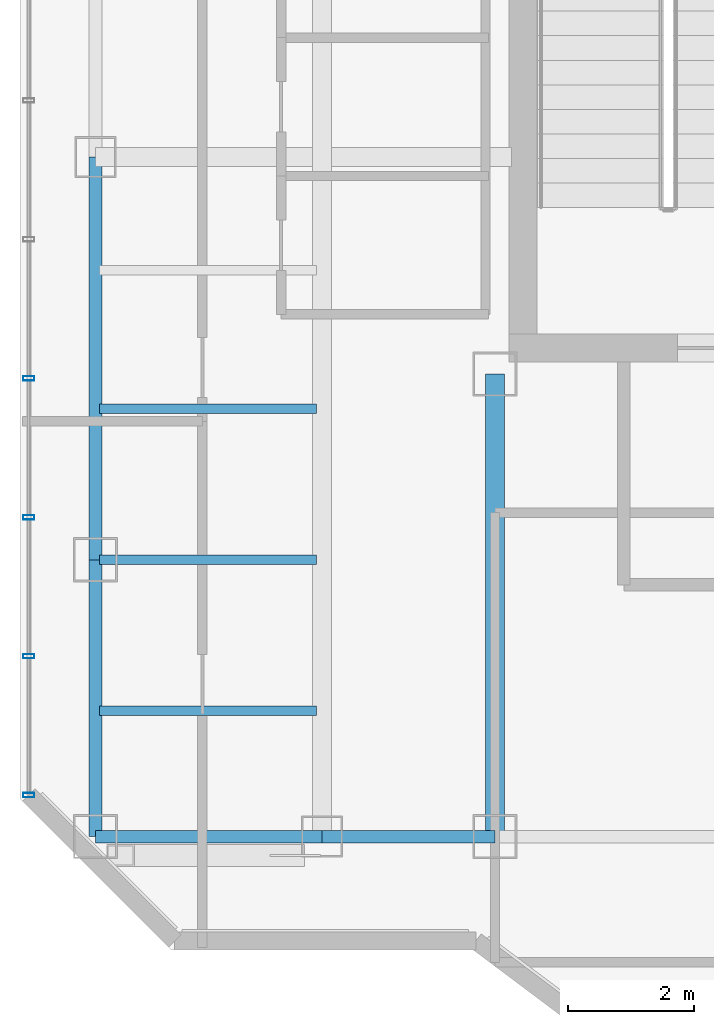
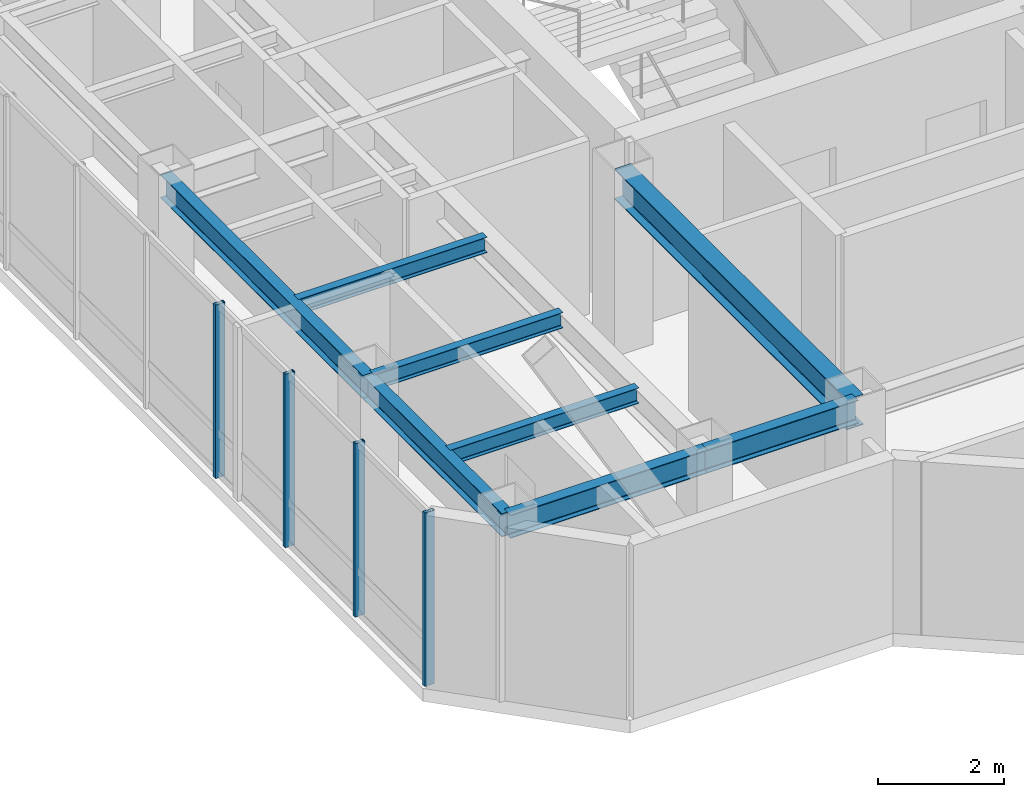
# One storey, part 4 of 25: 8 beams, 4 members, 1 element without a shape of its own.
"""IFC4 building model written with IfcOpenShell, lengths in metres."""

from ifc_helpers import new_model, si_unit, direction, frame, origin, origin_2d, place, context, subcontext, project, spatial, hollow_rectangle, i_section, extrude, material, layer, layer_set, material_profile, profile_set, type_object, element, aggregate, save


model = new_model("IFC4")

# Units and contexts
model_context = context("Model", 3, precision=1e-05, world=origin(), true_north=direction((0.0, 1.0)))
body_context = subcontext(model_context, "Body", "Model", "MODEL_VIEW")
ifc_project = project(units=[si_unit("LENGTHUNIT", "METRE"), si_unit("AREAUNIT", "SQUARE_METRE"), si_unit("VOLUMEUNIT", "CUBIC_METRE"), si_unit("PLANEANGLEUNIT", "RADIAN"), si_unit("MASSUNIT", "GRAM", prefix="KILO")], contexts=[model_context])

# Site, building, storey
site_placement = place(None, origin())
site = spatial("IfcSite", under=ifc_project, at=site_placement, CompositionType="ELEMENT")
building_placement = place(site_placement, origin())
building = spatial("IfcBuilding", under=site, at=building_placement, Name="Hatsunagi Terrace Concourse", CompositionType="ELEMENT")
storey_placement = place(building_placement, frame((0.0, 0.0, 216.75)))
storey = spatial("IfcBuildingStorey", under=building, at=storey_placement, Name="L57", CompositionType="ELEMENT", Elevation=216.75)

# Curtain wall, members
ifc_material_1 = material(Name="Anodised Aluminium Alloy 6063-T5", Category="aluminium")
ifc_layer = layer(ifc_material_1, 0.199951171875)
ifc_layer_set = layer_set([ifc_layer], Name="OfficeZone2_CW04")
curtain_wall_type = type_object("IfcCurtainWallType", Name="OfficeZone2_CW04", PredefinedType="NOTDEFINED", material=ifc_layer_set)
curtain_wall_placement = place(storey_placement, origin())
curtain_wall = element("IfcCurtainWall", 1, at=curtain_wall_placement, inside=storey, type_object=curtain_wall_type, Name="Unitised Curtain Wall CW-04 CW-L57-08", PredefinedType="NOTDEFINED")
ifc_material_2 = material(Name="Anodised Aluminium Alloy 6063-T5", Category="aluminium")
ifc_material_profile_1 = material_profile(ifc_material_2, hollow_rectangle(XDim=0.070068359375, YDim=0.179931640625, WallThickness=0.00390625, at=origin_2d()), Name="ALU-MUL-180x70x4")
ifc_profile_set_1 = profile_set([ifc_material_profile_1], Name="Anodised Aluminium Alloy 6063-T5")
member_type = type_object("IfcMemberType", Name="CurtainWallMullion_180x70", PredefinedType="MULLION", material=ifc_profile_set_1)
member_1_placement = place(storey_placement, frame((18.139892578125, 25.85791015625, 0.0), z_axis=(0.0, 0.0, 1.0), x_axis=(0.0, 1.0, 0.0)))
member_1 = element("IfcMember", 2, at=member_1_placement, type_object=member_type, Name="Curtain Wall Mullion MUL-02", PredefinedType="MULLION", context=body_context, shape_type="SweptSolid", body=[
    extrude(hollow_rectangle(XDim=0.070068359375, YDim=0.179931640625, WallThickness=0.00390625, at=origin_2d()), origin(), (0.0, 0.0, 1.0), 3.35009765625),
])
member_2_placement = place(storey_placement, frame((18.139892578125, 28.06591796875, 0.0), z_axis=(0.0, 0.0, 1.0), x_axis=(0.0, 1.0, 0.0)))
member_2 = element("IfcMember", 3, at=member_2_placement, type_object=member_type, Name="Curtain Wall Mullion MUL-02", PredefinedType="MULLION", context=body_context, shape_type="SweptSolid", body=[
    extrude(hollow_rectangle(XDim=0.070068359375, YDim=0.179931640625, WallThickness=0.00390625, at=origin_2d()), origin(), (0.0, 0.0, 1.0), 3.35009765625),
])
member_3_placement = place(storey_placement, frame((18.139892578125, 30.27490234375, 0.0), z_axis=(0.0, 0.0, 1.0), x_axis=(0.0, 1.0, 0.0)))
member_3 = element("IfcMember", 4, at=member_3_placement, type_object=member_type, Name="Curtain Wall Mullion MUL-02", PredefinedType="MULLION", context=body_context, shape_type="SweptSolid", body=[
    extrude(hollow_rectangle(XDim=0.070068359375, YDim=0.179931640625, WallThickness=0.00390625, at=origin_2d()), origin(), (0.0, 0.0, 1.0), 3.35009765625),
])
member_4_placement = place(storey_placement, frame((18.139892578125, 32.48291015625, 0.0), z_axis=(0.0, 0.0, 1.0), x_axis=(0.0, 1.0, 0.0)))
member_4 = element("IfcMember", 5, at=member_4_placement, type_object=member_type, Name="Curtain Wall Mullion MUL-02", PredefinedType="MULLION", context=body_context, shape_type="SweptSolid", body=[
    extrude(hollow_rectangle(XDim=0.070068359375, YDim=0.179931640625, WallThickness=0.00390625, at=origin_2d()), origin(), (0.0, 0.0, 1.0), 3.35009765625),
])
aggregate(curtain_wall, [member_1, member_2, member_3, member_4])

# Beams
ifc_material_3 = material(Name="Steel SN490B", Category="steel")
ifc_material_profile_2 = material_profile(ifc_material_3, i_section(OverallWidth=0.300048828125, OverallDepth=0.587890625, WebThickness=0.011962890625, FlangeThickness=0.02001953125, FilletRadius=0.01806640625, at=origin_2d()), Name="H-588x300x12x20")
ifc_profile_set_2 = profile_set([ifc_material_profile_2], Name="Steel SN490B")
beam_type_1 = type_object("IfcBeamType", Name="OfficeHighGirder_H_588x300", PredefinedType="BEAM", material=ifc_profile_set_2)
beam_1_placement = place(storey_placement, frame((25.550048828125, 25.199951171875, 3.055908203125), z_axis=(0.0, 1.0, 0.0), x_axis=(-1.0, 0.0, 0.0)))
element("IfcBeam", 6, at=beam_1_placement, inside=storey, type_object=beam_type_1, Name="Beam G-06 BM-L57-K1CA", PredefinedType="BEAM", context=body_context, shape_type="SweptSolid", body=[
    extrude(i_section(OverallWidth=0.300048828125, OverallDepth=0.587890625, WebThickness=0.011962890625, FlangeThickness=0.02001953125, FilletRadius=0.01806640625, at=origin_2d()), origin(), (0.0, 0.0, 1.0), 7.35009765625),
])
ifc_material_4 = material(Name="Steel SN490B", Category="steel")
ifc_material_profile_3 = material_profile(ifc_material_4, i_section(OverallWidth=0.14990234375, OverallDepth=0.300048828125, WebThickness=0.006591796875, FlangeThickness=0.009033203125, FilletRadius=0.010986328125, at=origin_2d()), Name="H-300x150x6.5x9")
ifc_profile_set_3 = profile_set([ifc_material_profile_3], Name="Steel SN490B")
beam_type_2 = type_object("IfcBeamType", Name="OfficeJoist_H_300x150", PredefinedType="JOIST", material=ifc_profile_set_3)
for number, where, z_axis, x_axis, name in (
    (7, (19.264892578125, 27.199951171875, 3.199951171875), (1.0, 0.0, 0.0), (0.0, 1.0, 0.0), "Beam J-03 J-L57-W-19-272"),
    (8, (19.264892578125, 29.60009765625, 3.199951171875), (1.0, 0.0, 0.0), (0.0, 1.0, 0.0), "Beam J-03 J-L57-W-19-296"),
    (9, (19.264892578125, 32.0, 3.199951171875), (1.0, 0.0, 0.0), (0.0, 1.0, 0.0), "Beam J-03 J-L57-W-19-320"),
):
    element("IfcBeam", number, at=place(storey_placement, frame(where, z_axis=z_axis, x_axis=x_axis)), inside=storey, type_object=beam_type_2, Name=name, PredefinedType="JOIST", context=body_context, shape_type="SweptSolid", body=[
        extrude(i_section(OverallWidth=0.14990234375, OverallDepth=0.300048828125, WebThickness=0.006591796875, FlangeThickness=0.009033203125, FilletRadius=0.010986328125, at=origin_2d()), origin(), (0.0, 0.0, 1.0), 3.4501953125),
    ])
ifc_material_5 = material(Name="Steel SN490B", Category="steel")
ifc_material_profile_4 = material_profile(ifc_material_5, i_section(OverallWidth=0.199951171875, OverallDepth=0.449951171875, WebThickness=0.009033203125, FlangeThickness=0.013916015625, FilletRadius=0.01611328125, at=origin_2d()), Name="H-450x200x9x14")
ifc_profile_set_4 = profile_set([ifc_material_profile_4], Name="Steel SN490B")
beam_type_3 = type_object("IfcBeamType", Name="PerimeterSpandrel_H_450x200", PredefinedType="SPANDREL", material=ifc_profile_set_4)
beam_2_placement = place(storey_placement, frame((19.199951171875, 25.199951171875, 3.125), z_axis=(1.0, 0.0, 0.0), x_axis=(0.0, 1.0, 0.0)))
element("IfcBeam", 10, at=beam_2_placement, inside=storey, type_object=beam_type_3, Name="Beam SP-02 BM-L57-WS-19", PredefinedType="SPANDREL", context=body_context, shape_type="SweptSolid", body=[
    extrude(i_section(OverallWidth=0.199951171875, OverallDepth=0.449951171875, WebThickness=0.009033203125, FlangeThickness=0.013916015625, FilletRadius=0.01611328125, at=origin_2d()), origin(), (0.0, 0.0, 1.0), 3.60009765625),
])
beam_3_placement = place(storey_placement, frame((22.800048828125, 25.199951171875, 3.125), z_axis=(1.0, 0.0, 0.0), x_axis=(0.0, 1.0, 0.0)))
element("IfcBeam", 11, at=beam_3_placement, inside=storey, type_object=beam_type_3, Name="Beam SP-02 BM-L57-WS-22", PredefinedType="SPANDREL", context=body_context, shape_type="SweptSolid", body=[
    extrude(i_section(OverallWidth=0.199951171875, OverallDepth=0.449951171875, WebThickness=0.009033203125, FlangeThickness=0.013916015625, FilletRadius=0.01611328125, at=origin_2d()), origin(), (0.0, 0.0, 1.0), 2.75),
])
beam_4_placement = place(storey_placement, frame((19.199951171875, 25.199951171875, 3.125), z_axis=(0.0, 1.0, 0.0), x_axis=(-1.0, 0.0, 0.0)))
element("IfcBeam", 12, at=beam_4_placement, inside=storey, type_object=beam_type_3, Name="Beam SP-02 BM-L57-NS-19-25", PredefinedType="SPANDREL", context=body_context, shape_type="SweptSolid", body=[
    extrude(i_section(OverallWidth=0.199951171875, OverallDepth=0.449951171875, WebThickness=0.009033203125, FlangeThickness=0.013916015625, FilletRadius=0.01611328125, at=origin_2d()), origin(), (0.0, 0.0, 1.0), 4.400146484375),
])
beam_5_placement = place(storey_placement, frame((19.199951171875, 29.60009765625, 3.125), z_axis=(0.0, 1.0, 0.0), x_axis=(-1.0, 0.0, 0.0)))
element("IfcBeam", 13, at=beam_5_placement, inside=storey, type_object=beam_type_3, Name="Beam SP-02 BM-L57-NS-19-29", PredefinedType="SPANDREL", context=body_context, shape_type="SweptSolid", body=[
    extrude(i_section(OverallWidth=0.199951171875, OverallDepth=0.449951171875, WebThickness=0.009033203125, FlangeThickness=0.013916015625, FilletRadius=0.01611328125, at=origin_2d()), origin(), (0.0, 0.0, 1.0), 6.39990234375),
])

save(model, "model.ifc")
